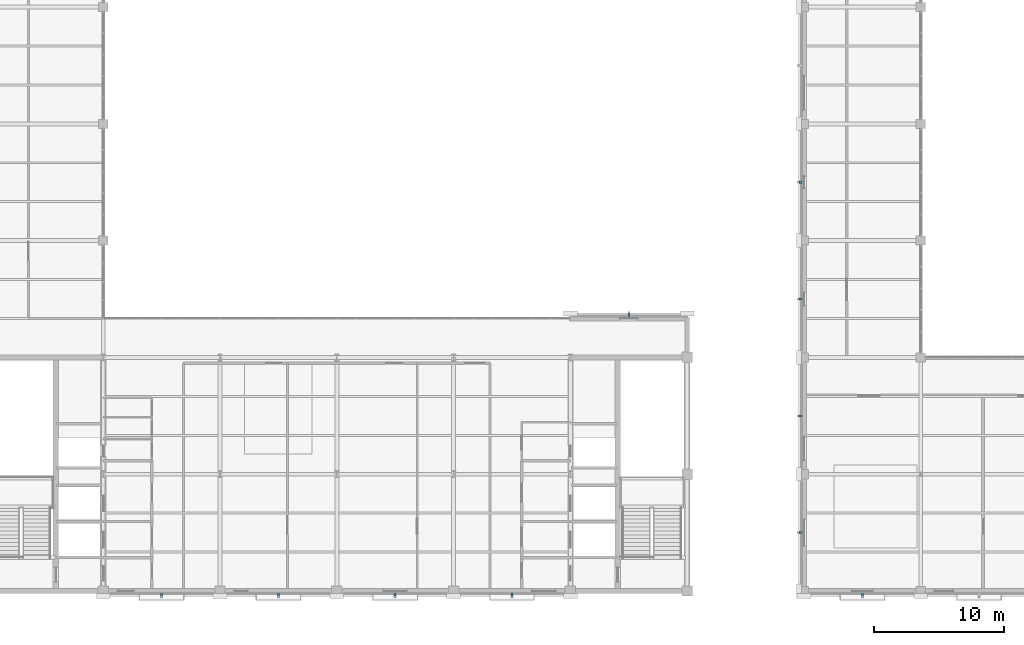
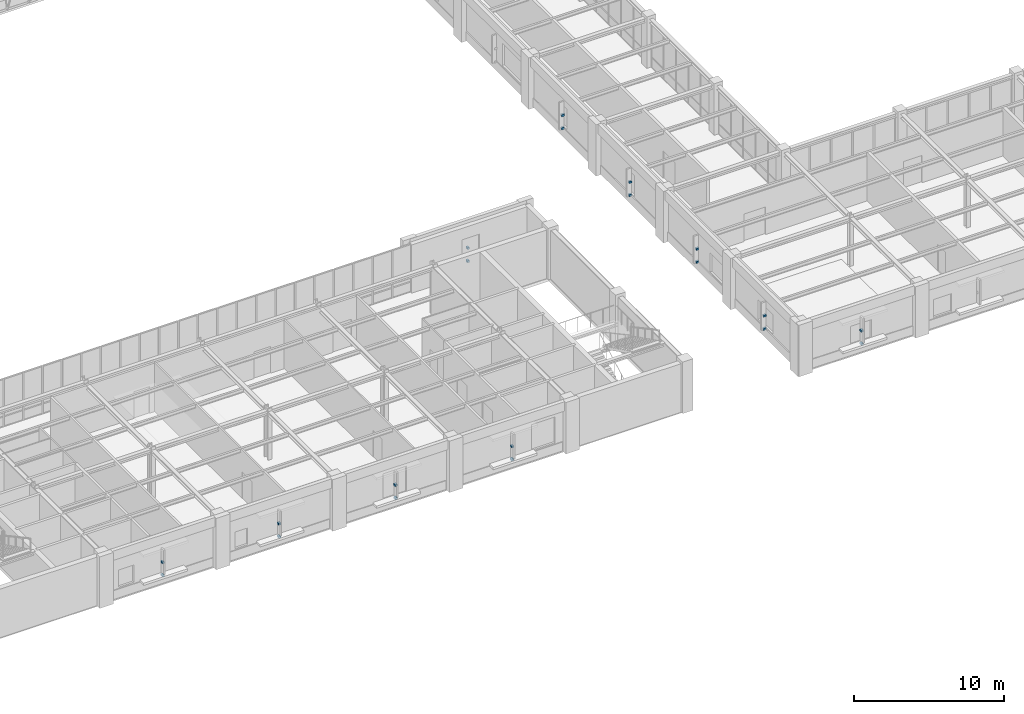
# One storey, part 97 of 108: 20 discrete accessories.
"""IFC4 building model written with IfcOpenShell, lengths in metres."""

from ifc_helpers import new_model, si_unit, direction, frame, origin, origin_2d, place, context, subcontext, project, spatial, rectangle, extrude, material, type_object, element, save


model = new_model("IFC4")

# Units and contexts
model_context = context("Model", 3, precision=1e-05, world=origin(), true_north=direction((0.0, 1.0)))
body_context = subcontext(model_context, "Body", "Model", "MODEL_VIEW")
ifc_project = project(units=[si_unit("LENGTHUNIT", "METRE"), si_unit("AREAUNIT", "SQUARE_METRE"), si_unit("VOLUMEUNIT", "CUBIC_METRE"), si_unit("PLANEANGLEUNIT", "RADIAN"), si_unit("MASSUNIT", "GRAM", prefix="KILO")], contexts=[model_context])

# Site, building, storey
site_placement = place(None, origin())
site = spatial("IfcSite", under=ifc_project, at=site_placement, CompositionType="ELEMENT")
building_placement = place(site_placement, origin())
building = spatial("IfcBuilding", under=site, at=building_placement, Name="Lykobir Media Centre", CompositionType="ELEMENT")
storey_placement = place(building_placement, frame((0.0, 0.0, 15.0)))
storey = spatial("IfcBuildingStorey", under=building, at=storey_placement, Name="L03", CompositionType="ELEMENT", Elevation=15.0)

# Discrete accessories
ifc_material = material(Name="Steel S355", Category="steel")
discrete_accessory_type = type_object("IfcDiscreteAccessoryType", Name="ACC-BRK", PredefinedType="BRACKET", material=ifc_material)
for number, where, z_axis, x_axis, name in (
    (1, (40.5, -0.260009765625, 0.7001953125), (0.0, 0.0, 1.0), (1.0, 0.0, 0.0), "Cumba corbel bracket 51"),
    (2, (40.5, -0.260009765625, 1.77001953125), (0.0, 0.0, 1.0), (1.0, 0.0, 0.0), "Shading fin bracket 52"),
    (3, (49.5, -0.260009765625, 0.7001953125), (0.0, 0.0, 1.0), (1.0, 0.0, 0.0), "Cumba corbel bracket 53"),
    (4, (49.5, -0.260009765625, 1.77001953125), (0.0, 0.0, 1.0), (1.0, 0.0, 0.0), "Shading fin bracket 54"),
    (5, (58.5, -0.260009765625, 0.7001953125), (0.0, 0.0, 1.0), (1.0, 0.0, 0.0), "Cumba corbel bracket 55"),
    (6, (58.5, -0.260009765625, 1.77001953125), (0.0, 0.0, 1.0), (1.0, 0.0, 0.0), "Shading fin bracket 56"),
    (7, (67.5, -0.260009765625, 0.7001953125), (0.0, 0.0, 1.0), (1.0, 0.0, 0.0), "Cumba corbel bracket 57"),
    (8, (67.5, -0.260009765625, 1.77001953125), (0.0, 0.0, 1.0), (1.0, 0.0, 0.0), "Shading fin bracket 58"),
    (9, (76.5, 21.260009765625, 0.7001953125), (0.0, 0.0, 1.0), (-1.0, 0.0, 0.0), "Cumba corbel bracket 59"),
    (10, (76.5, 21.260009765625, 1.77001953125), (0.0, 0.0, 1.0), (-1.0, 0.0, 0.0), "Shading fin bracket 60"),
    (11, (89.739990234375, 22.5, 0.7001953125), (0.0, 0.0, 1.0), (0.0, -1.0, 0.0), "Cumba corbel bracket 69"),
    (12, (89.739990234375, 22.5, 1.77001953125), (0.0, 0.0, 1.0), (0.0, -1.0, 0.0), "Shading fin bracket 70"),
    (13, (89.739990234375, 31.5, 0.7001953125), (0.0, 0.0, 1.0), (0.0, -1.0, 0.0), "Cumba corbel bracket 71"),
    (14, (89.739990234375, 31.5, 1.77001953125), (0.0, 0.0, 1.0), (0.0, -1.0, 0.0), "Shading fin bracket 72"),
    (15, (89.739990234375, 4.5, 0.7001953125), (0.0, 0.0, 1.0), (0.0, -1.0, 0.0), "Cumba corbel bracket 81"),
    (16, (89.739990234375, 4.5, 1.77001953125), (0.0, 0.0, 1.0), (0.0, -1.0, 0.0), "Shading fin bracket 82"),
    (17, (89.739990234375, 13.5, 0.7001953125), (0.0, 0.0, 1.0), (0.0, -1.0, 0.0), "Cumba corbel bracket 83"),
    (18, (89.739990234375, 13.5, 1.77001953125), (0.0, 0.0, 1.0), (0.0, -1.0, 0.0), "Shading fin bracket 84"),
    (19, (94.5, -0.260009765625, 0.7001953125), (0.0, 0.0, 1.0), (1.0, 0.0, 0.0), "Cumba corbel bracket 85"),
    (20, (94.5, -0.260009765625, 1.77001953125), (0.0, 0.0, 1.0), (1.0, 0.0, 0.0), "Shading fin bracket 86"),
):
    element("IfcDiscreteAccessory", number, at=place(storey_placement, frame(where, z_axis=z_axis, x_axis=x_axis)), inside=storey, type_object=discrete_accessory_type, Name=name, PredefinedType="BRACKET", context=body_context, shape_type="SweptSolid", body=[
        extrude(rectangle(XDim=0.159912109375, YDim=0.219970703125, at=origin_2d()), origin(), (0.0, 0.0, 1.0), 0.159912109375),
    ])

save(model, "model.ifc")
